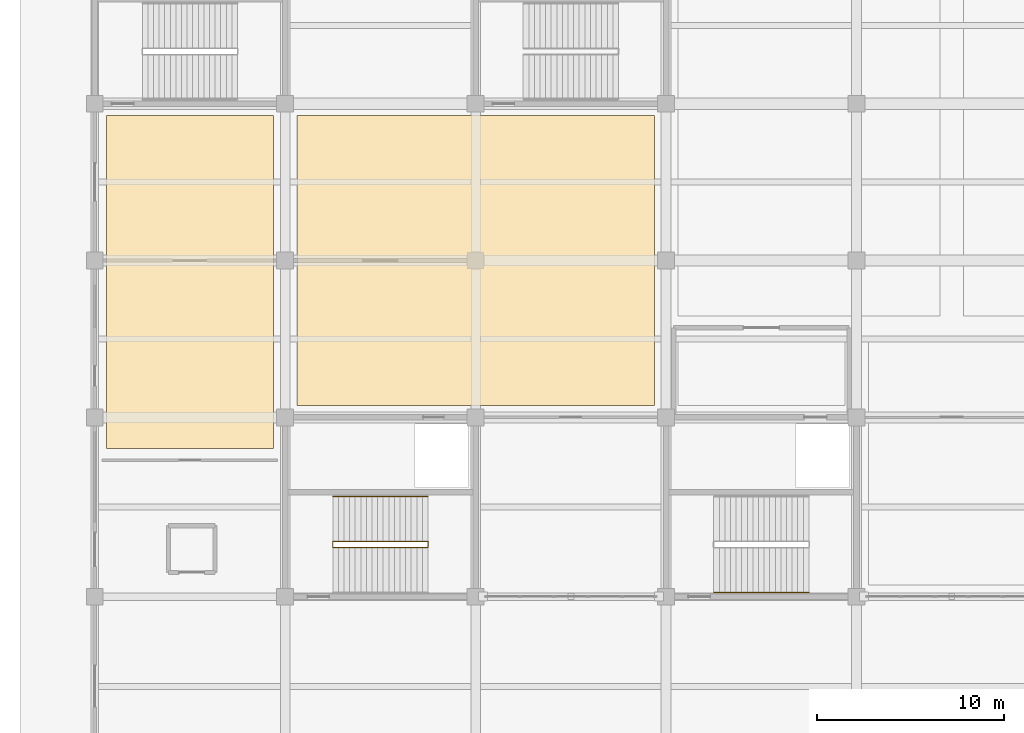
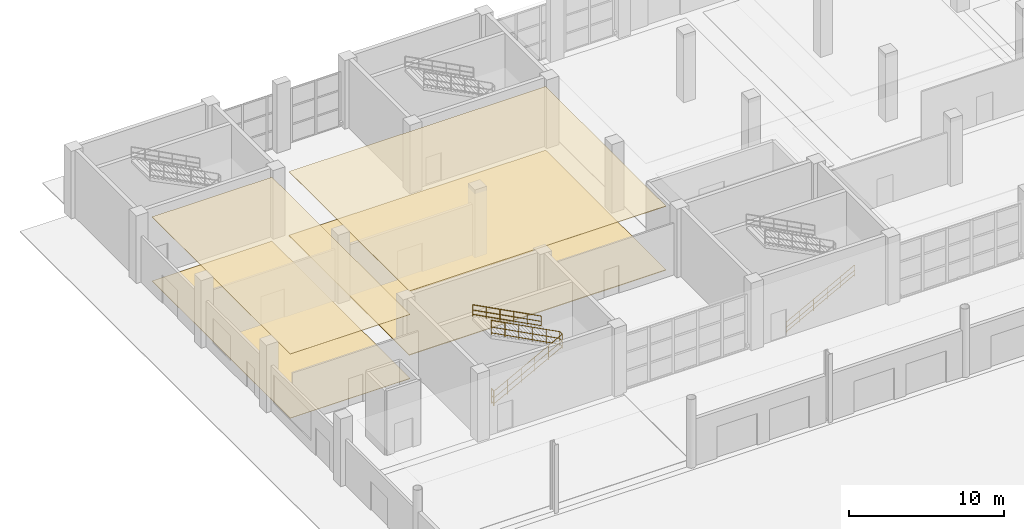
# One storey, part 112 of 124: 4 coverings, 4 railings.
"""IFC4 building model written with IfcOpenShell, lengths in metres."""

import ifcopenshell
import ifcopenshell.guid

model = None  # the IFC model being written
_history = None  # IfcOwnerHistory: only IFC2X3 demands one
_inside = {}  # id of a spatial element -> (the spatial element, [elements in it])
_under = {}  # id of a project, library or spatial element -> (it, [spatial elements below it])
_declared = {}  # id of a project -> (the project, [libraries it declares])
_typed = {}  # id of a type object -> (the type object, [elements of that type])
_made_of = {}  # id of a material, layer set ... -> (it, [elements and type objects made of it])


def new_model(schema):
    """Start an empty IFC model of exactly this schema.

    Asked for "IFC4X3", IfcOpenShell would pick the latest addendum, in which some entities
    have other attributes; the version numbers below select the first issue.
    IFC2X3 requires an IfcOwnerHistory on every rooted entity: one is made here for all.
    """
    global model, _history
    if schema == "IFC4X3":
        model = ifcopenshell.file(schema_version=(4, 3, 0, 0))
    else:
        model = ifcopenshell.file(schema=schema)
    _inside.clear()
    _under.clear()
    _declared.clear()
    _typed.clear()
    _made_of.clear()
    _history = None
    if model.schema == "IFC2X3":
        org = make("IfcOrganization", Name="unknown")
        user = make(
            "IfcPersonAndOrganization",
            ThePerson=make("IfcPerson", FamilyName="unknown"),
            TheOrganization=org,
        )
        app = make(
            "IfcApplication",
            ApplicationDeveloper=org,
            Version="unknown",
            ApplicationFullName="unknown",
            ApplicationIdentifier="unknown",
        )
        _history = make(
            "IfcOwnerHistory",
            OwningUser=user,
            OwningApplication=app,
            ChangeAction="ADDED",
            CreationDate=0,
        )
    return model


def make(cls, **values):
    """One entity of the class cls with the attributes given. An attribute that is None is left unset."""
    return model.create_entity(
        cls, **{name: value for name, value in values.items() if value is not None}
    )


def rooted(cls, **values):
    """An entity with a GlobalId (a new one), such as an element, a storey or a relation."""
    return make(cls, GlobalId=ifcopenshell.guid.new(), OwnerHistory=_history, **values)


def si_unit(unit_type, name, prefix=None):
    """IfcSIUnit, for example si_unit("LENGTHUNIT", "METRE", prefix="MILLI")."""
    return make("IfcSIUnit", UnitType=unit_type, Prefix=prefix, Name=name)


def assignment(units):
    """IfcUnitAssignment: the units of a project."""
    return None if units is None else make("IfcUnitAssignment", Units=units)


def point(xyz):
    """IfcCartesianPoint."""
    return None if xyz is None else make("IfcCartesianPoint", Coordinates=xyz)


def direction(xyz):
    """IfcDirection."""
    return None if xyz is None else make("IfcDirection", DirectionRatios=xyz)


def frame(location, z_axis=None, x_axis=None):
    """IfcAxis2Placement3D, a coordinate frame: its origin and axes. An axis left out is left unset."""
    return make(
        "IfcAxis2Placement3D",
        Location=point(location),
        Axis=direction(z_axis),
        RefDirection=direction(x_axis),
    )


def frame_2d(location, x_axis=None):
    """IfcAxis2Placement2D, a coordinate frame in the plane: its origin and x axis."""
    return make(
        "IfcAxis2Placement2D", Location=point(location), RefDirection=direction(x_axis)
    )


def origin():
    """The frame at (0, 0, 0) with its axes left unset."""
    return frame((0.0, 0.0, 0.0))


def origin_2d():
    """The frame at (0, 0) in the plane with its x axis left unset."""
    return frame_2d((0.0, 0.0))


def place(relative_to, where):
    """IfcLocalPlacement: puts the frame where relative to a parent placement (None: the world)."""
    return make(
        "IfcLocalPlacement", PlacementRelTo=relative_to, RelativePlacement=where
    )


def context(
    kind, dimensions, precision=None, world=None, true_north=None, identifier=None
):
    """IfcGeometricRepresentationContext, for example the 3D "Model" context."""
    return make(
        "IfcGeometricRepresentationContext",
        ContextIdentifier=identifier,
        ContextType=kind,
        CoordinateSpaceDimension=dimensions,
        Precision=precision,
        WorldCoordinateSystem=world,
        TrueNorth=true_north,
    )


def subcontext(parent, identifier, kind, view, scale=None):
    """IfcGeometricRepresentationSubContext, for example "Body" below "Model"."""
    return make(
        "IfcGeometricRepresentationSubContext",
        ContextIdentifier=identifier,
        ContextType=kind,
        ParentContext=parent,
        TargetScale=scale,
        TargetView=view,
    )


def project(units=None, contexts=None):
    """IfcProject with its units and contexts."""
    return rooted(
        "IfcProject",
        Name="project",
        RepresentationContexts=contexts,
        UnitsInContext=assignment(units),
    )


def spatial(cls, under=None, at=None, **own):
    """A site, building, storey or space (cls), placed at a placement, below another one or the project."""
    s = rooted(cls, ObjectPlacement=at, **own)
    if under is not None:
        _under.setdefault(under.id(), (under, []))[1].append(s)
    return s


def polyline(points):
    """IfcPolyline through the points."""
    return make("IfcPolyline", Points=[point(p) for p in points])


def profile(cls, at=None, kind="AREA", **sizes):
    """A parametric profile (cls). Its sizes go by their IFC names, for example OverallWidth=200.0."""
    return make(cls, ProfileType=kind, Position=at, **sizes)


def circle(**sizes):
    """IfcCircleProfileDef."""
    return profile("IfcCircleProfileDef", **sizes)


def outline(outer, holes=None, kind="AREA"):
    """IfcArbitraryClosedProfileDef: a profile drawn as a closed curve; with holes, ...WithVoids."""
    if holes is None:
        return make("IfcArbitraryClosedProfileDef", ProfileType=kind, OuterCurve=outer)
    return make(
        "IfcArbitraryProfileDefWithVoids",
        ProfileType=kind,
        OuterCurve=outer,
        InnerCurves=holes,
    )


def extrude(swept, where, along, depth):
    """IfcExtrudedAreaSolid: the profile swept, set in the frame where, extruded along a direction by depth."""
    return make(
        "IfcExtrudedAreaSolid",
        SweptArea=swept,
        Position=where,
        ExtrudedDirection=direction(along),
        Depth=depth,
    )


def shape(context_of_items, identifier, shape_type, items):
    """IfcShapeRepresentation: the items that make up one representation, for example the "Body"."""
    return make(
        "IfcShapeRepresentation",
        ContextOfItems=context_of_items,
        RepresentationIdentifier=identifier,
        RepresentationType=shape_type,
        Items=items,
    )


def material(Name=None, Category=None):
    """IfcMaterial."""
    return make("IfcMaterial", Name=Name, Category=Category)


def layer(
    of_material, thickness, ventilated=None, Name=None, Category=None, Priority=None
):
    """IfcMaterialLayer: one layer of a wall or slab, of a material (None: an air gap)."""
    return make(
        "IfcMaterialLayer",
        Material=of_material,
        LayerThickness=thickness,
        IsVentilated=ventilated,
        Name=Name,
        Category=Category,
        Priority=Priority,
    )


def layer_set(layers, Name=None):
    """IfcMaterialLayerSet."""
    return make("IfcMaterialLayerSet", MaterialLayers=layers, LayerSetName=Name)


def made_of(thing, what):
    """Note that an element or type object is made of a material, layer set ...; save() writes the relation."""
    if what is not None:
        _made_of.setdefault(what.id(), (what, []))[1].append(thing)
    return thing


def type_object(cls, material=None, **own):
    """A type object (cls), such as IfcWallType, which elements share."""
    return made_of(rooted(cls, **own), material)


def element(
    cls,
    number,
    at=None,
    inside=None,
    cuts=None,
    type_object=None,
    material=None,
    context=None,
    identifier="Body",
    shape_type=None,
    held_by="IfcProductDefinitionShape",
    body=None,
    shapes=None,
    **own,
):
    """One element of the class cls, such as IfcWall. Its Tag is "e" and its number.

    at: its placement. inside: the storey or other place that contains it. cuts: it is an
    opening in that element (IfcRelVoidsElement). A single representation is given by context,
    identifier, shape_type and body (its items); several are given by shapes. held_by: the class
    of the entity that holds the representations. save() writes the other relations.
    """
    e = rooted(cls, Tag="e%d" % number, ObjectPlacement=at, **own)
    if body is not None:
        shapes = [shape(context, identifier, shape_type, body)]
    if shapes is not None:
        e.Representation = make(held_by, Representations=shapes)
    if inside is not None:
        _inside.setdefault(inside.id(), (inside, []))[1].append(e)
    if cuts is not None:
        rooted(
            "IfcRelVoidsElement", RelatingBuildingElement=cuts, RelatedOpeningElement=e
        )
    if type_object is not None:
        _typed.setdefault(type_object.id(), (type_object, []))[1].append(e)
    return made_of(e, material)


def aggregate(whole, parts):
    """IfcRelAggregates: a whole, such as a stair, and the parts it consists of."""
    return rooted("IfcRelAggregates", RelatingObject=whole, RelatedObjects=parts)


def save(model, path):
    """Write the relations noted so far, then the file.

    IfcRelAggregates (storeys below a building ...), IfcRelContainedInSpatialStructure (elements
    in a storey), IfcRelDefinesByType, IfcRelAssociatesMaterial and IfcRelDeclares: one each for
    every whole, place, type object, material and project.
    """
    for whole, parts in _under.values():
        aggregate(whole, parts)
    for where, things in _inside.values():
        rooted(
            "IfcRelContainedInSpatialStructure",
            RelatedElements=things,
            RelatingStructure=where,
        )
    for kind, things in _typed.values():
        rooted("IfcRelDefinesByType", RelatedObjects=things, RelatingType=kind)
    for what, things in _made_of.values():
        rooted("IfcRelAssociatesMaterial", RelatedObjects=things, RelatingMaterial=what)
    for by, libraries in _declared.values():
        rooted("IfcRelDeclares", RelatingContext=by, RelatedDefinitions=libraries)
    model.write(path)


model = new_model("IFC4")

# Units and contexts
model_context = context("Model", 3, precision=1e-05, world=origin(), true_north=direction((0.0, 1.0)))
body_context = subcontext(model_context, "Body", "Model", "MODEL_VIEW")
ifc_project = project(units=[si_unit("LENGTHUNIT", "METRE"), si_unit("AREAUNIT", "SQUARE_METRE"), si_unit("VOLUMEUNIT", "CUBIC_METRE"), si_unit("PLANEANGLEUNIT", "RADIAN"), si_unit("MASSUNIT", "GRAM", prefix="KILO")], contexts=[model_context])

# Site, building, storey
site_placement = place(None, origin())
site = spatial("IfcSite", under=ifc_project, at=site_placement, CompositionType="ELEMENT")
building_placement = place(site_placement, origin())
building = spatial("IfcBuilding", under=site, at=building_placement, Name="Brelvane Convention Centre", CompositionType="ELEMENT")
storey_placement = place(building_placement, origin())
storey = spatial("IfcBuildingStorey", under=building, at=storey_placement, Name="L00", CompositionType="ELEMENT", Elevation=0.0)

# Coverings
ifc_material_1 = material(Name="Moisture-Resistant Acoustic Gypsum Ceiling Tile Grade A")
ifc_layer_1 = layer(ifc_material_1, 0.033935546875)
ifc_layer_set_1 = layer_set([ifc_layer_1], Name="Moisture-Resistant Acoustic Gypsum Ceiling Tile Grade A")
covering_type_1 = type_object("IfcCoveringType", Name="Interior Finish CL-GYP-34", PredefinedType="CEILING", material=ifc_layer_set_1)
covering_1_placement = place(storey_placement, frame((0.0, 0.0, 5.0458984375)))
element("IfcCovering", 1, at=covering_1_placement, inside=storey, type_object=covering_type_1, Name="Meeting Room 101 Acoustic Ceiling (CL-GYP-34)", PredefinedType="CEILING", context=body_context, shape_type="SweptSolid", body=[
    extrude(outline(polyline([(0.6298828125, 117.1298828125), (9.570068359375, 117.1298828125), (9.570068359375, 134.969970703125), (0.6298828125, 134.969970703125), (0.6298828125, 117.1298828125)])), origin(), (0.0, 0.0, 1.0), 0.0341796875),
])
ifc_material_2 = material(Name="Moisture-Resistant Acoustic Gypsum Ceiling Tile Grade A")
ifc_layer_2 = layer(ifc_material_2, 0.0419921875)
ifc_layer_set_2 = layer_set([ifc_layer_2], Name="Moisture-Resistant Acoustic Gypsum Ceiling Tile Grade A")
covering_type_2 = type_object("IfcCoveringType", Name="Interior Finish CL-GYP-42", PredefinedType="CEILING", material=ifc_layer_set_2)
covering_2_placement = place(storey_placement, frame((0.0, 0.0, 5.0380859375)))
element("IfcCovering", 2, at=covering_2_placement, inside=storey, type_object=covering_type_2, Name="Meeting Room 102 Acoustic Ceiling (CL-GYP-42)", PredefinedType="CEILING", context=body_context, shape_type="SweptSolid", body=[
    extrude(outline(polyline([(10.830078125, 119.429931640625), (29.969970703125, 119.429931640625), (29.969970703125, 134.969970703125), (10.830078125, 134.969970703125), (10.830078125, 119.429931640625)])), origin(), (0.0, 0.0, 1.0), 0.0419921875),
])
ifc_material_3 = material(Name="Polished Basalt-Aggregate Terrazzo Screed Concrete M30", Category="masonry")
ifc_layer_3 = layer(ifc_material_3, 0.031982421875)
ifc_layer_set_3 = layer_set([ifc_layer_3], Name="Polished Basalt-Aggregate Terrazzo Screed Concrete M30")
covering_type_3 = type_object("IfcCoveringType", Name="Interior Finish FL-STN-32", PredefinedType="FLOORING", material=ifc_layer_set_3)
covering_3_placement = place(storey_placement, origin())
element("IfcCovering", 3, at=covering_3_placement, inside=storey, type_object=covering_type_3, Name="Meeting Room 101 Floor Finish (FL-STN-32)", PredefinedType="FLOORING", context=body_context, shape_type="SweptSolid", body=[
    extrude(outline(polyline([(0.6298828125, 117.1298828125), (9.570068359375, 117.1298828125), (9.570068359375, 134.969970703125), (0.6298828125, 134.969970703125), (0.6298828125, 117.1298828125)])), origin(), (0.0, 0.0, 1.0), 0.031982421875),
])
ifc_material_4 = material(Name="Polished Basalt-Aggregate Terrazzo Screed Concrete M30", Category="masonry")
ifc_layer_4 = layer(ifc_material_4, 0.054931640625)
ifc_layer_set_4 = layer_set([ifc_layer_4], Name="Polished Basalt-Aggregate Terrazzo Screed Concrete M30")
covering_type_4 = type_object("IfcCoveringType", Name="Interior Finish FL-STN-55", PredefinedType="FLOORING", material=ifc_layer_set_4)
covering_4_placement = place(storey_placement, origin())
element("IfcCovering", 4, at=covering_4_placement, inside=storey, type_object=covering_type_4, Name="Meeting Room 102 Floor Finish (FL-STN-55)", PredefinedType="FLOORING", context=body_context, shape_type="SweptSolid", body=[
    extrude(outline(polyline([(10.830078125, 119.429931640625), (29.969970703125, 119.429931640625), (29.969970703125, 134.969970703125), (10.830078125, 134.969970703125), (10.830078125, 119.429931640625)])), origin(), (0.0, 0.0, 1.0), 0.054931640625),
])

# Railings
ifc_material_5 = material(Name="Steel E350 (350 MPa)", Category="steel")
railing_type_1 = type_object("IfcRailingType", Name="Stair Railing GR-ST-1", PredefinedType="GUARDRAIL", material=ifc_material_5)
railing_1_placement = place(storey_placement, frame((12.75, 111.840087890625, -0.02001953125)))
element("IfcRailing", 5, at=railing_1_placement, inside=storey, type_object=railing_type_1, Name="Stair ST-06 L00 Inner Well Guard", PredefinedType="GUARDRAIL", context=body_context, shape_type="SweptSolid", body=[
    extrude(circle(Radius=0.02392578125, at=origin_2d()), frame((0.0, 0.0, 1.1259765625), z_axis=(0.882358787245, 0.0, 0.470577273753), x_axis=(0.0, 1.0, 0.0)), (0.0, 0.0, 1.0), 5.780029296875),
    extrude(circle(Radius=0.02392578125, at=origin_2d()), frame((0.0, 0.0, 0.597900390625), z_axis=(0.882358787245, 0.0, 0.470577273753), x_axis=(0.0, 1.0, 0.0)), (0.0, 0.0, 1.0), 5.780029296875),
    extrude(circle(Radius=0.02392578125, at=origin_2d()), frame((0.0, 0.0, 0.139892578125), z_axis=(0.882358787245, 0.0, 0.470577273753), x_axis=(0.0, 1.0, 0.0)), (0.0, 0.0, 1.0), 5.780029296875),
    extrude(circle(Radius=0.02392578125, at=origin_2d()), frame((5.10009765625, 0.0, 3.845947265625), z_axis=(0.0, 1.0, 0.0), x_axis=(-1.0, 0.0, 0.0)), (0.0, 0.0, 1.0), 0.31982421875),
    extrude(circle(Radius=0.02392578125, at=origin_2d()), frame((5.10009765625, 0.0, 3.31787109375), z_axis=(0.0, 1.0, 0.0), x_axis=(-1.0, 0.0, 0.0)), (0.0, 0.0, 1.0), 0.31982421875),
    extrude(circle(Radius=0.02392578125, at=origin_2d()), frame((5.10009765625, 0.0, 2.85986328125), z_axis=(0.0, 1.0, 0.0), x_axis=(-1.0, 0.0, 0.0)), (0.0, 0.0, 1.0), 0.31982421875),
    extrude(circle(Radius=0.02392578125, at=origin_2d()), frame((5.10009765625, 0.31982421875, 3.845947265625), z_axis=(-0.885227801088, 0.0, 0.465157758379), x_axis=(0.0, -1.0, 0.0)), (0.0, 0.0, 1.0), 5.76123046875),
    extrude(circle(Radius=0.02392578125, at=origin_2d()), frame((5.10009765625, 0.31982421875, 3.31787109375), z_axis=(-0.885227801088, 0.0, 0.465157758379), x_axis=(0.0, -1.0, 0.0)), (0.0, 0.0, 1.0), 5.76123046875),
    extrude(circle(Radius=0.02392578125, at=origin_2d()), frame((5.10009765625, 0.31982421875, 2.85986328125), z_axis=(-0.885227801088, 0.0, 0.465157758379), x_axis=(0.0, -1.0, 0.0)), (0.0, 0.0, 1.0), 5.76123046875),
    extrude(circle(Radius=0.02099609375, at=origin_2d()), origin(), (0.0, 0.0, 1.0), 1.101806640625),
    extrude(circle(Radius=0.02099609375, at=origin_2d()), frame((1.02001953125, 0.0, 0.5439453125)), (0.0, 0.0, 1.0), 1.101806640625),
    extrude(circle(Radius=0.02099609375, at=origin_2d()), frame((2.0400390625, 0.0, 1.087890625)), (0.0, 0.0, 1.0), 1.101806640625),
    extrude(circle(Radius=0.02099609375, at=origin_2d()), frame((3.06005859375, 0.0, 1.632080078125)), (0.0, 0.0, 1.0), 1.101806640625),
    extrude(circle(Radius=0.02099609375, at=origin_2d()), frame((4.080078125, 0.0, 2.176025390625)), (0.0, 0.0, 1.0), 1.101806640625),
    extrude(circle(Radius=0.02099609375, at=origin_2d()), frame((5.10009765625, 0.0, 2.719970703125)), (0.0, 0.0, 1.0), 1.101806640625),
    extrude(circle(Radius=0.02099609375, at=origin_2d()), frame((5.10009765625, 0.31982421875, 2.719970703125)), (0.0, 0.0, 1.0), 1.101806640625),
    extrude(circle(Radius=0.02099609375, at=origin_2d()), frame((4.080078125, 0.31982421875, 3.255859375)), (0.0, 0.0, 1.0), 1.101806640625),
    extrude(circle(Radius=0.02099609375, at=origin_2d()), frame((3.06005859375, 0.31982421875, 3.7919921875)), (0.0, 0.0, 1.0), 1.101806640625),
    extrude(circle(Radius=0.02099609375, at=origin_2d()), frame((2.0400390625, 0.31982421875, 4.327880859375)), (0.0, 0.0, 1.0), 1.101806640625),
    extrude(circle(Radius=0.02099609375, at=origin_2d()), frame((1.02001953125, 0.31982421875, 4.864013671875)), (0.0, 0.0, 1.0), 1.101806640625),
    extrude(circle(Radius=0.02099609375, at=origin_2d()), frame((0.0, 0.31982421875, 5.39990234375)), (0.0, 0.0, 1.0), 1.101806640625),
])
ifc_material_6 = material(Name="Steel E350 (350 MPa)", Category="steel")
railing_type_2 = type_object("IfcRailingType", Name="Stair Railing GR-ST-2", PredefinedType="GUARDRAIL", material=ifc_material_6)
railing_2_placement = place(storey_placement, frame((12.75, 111.840087890625, -0.02001953125)))
element("IfcRailing", 6, at=railing_2_placement, inside=storey, type_object=railing_type_2, Name="Stair ST-06 L00 Landing Well Guard", PredefinedType="GUARDRAIL", context=body_context, shape_type="SweptSolid", body=[
    extrude(circle(Radius=0.02392578125, at=origin_2d()), frame((0.0, 0.0, 1.15576171875), z_axis=(0.0, 1.0, 0.0), x_axis=(-1.0, 0.0, 0.0)), (0.0, 0.0, 1.0), 0.31982421875),
    extrude(circle(Radius=0.02392578125, at=origin_2d()), frame((0.0, 0.0, 0.613525390625), z_axis=(0.0, 1.0, 0.0), x_axis=(-1.0, 0.0, 0.0)), (0.0, 0.0, 1.0), 0.31982421875),
    extrude(circle(Radius=0.02392578125, at=origin_2d()), frame((0.0, 0.0, 0.139892578125), z_axis=(0.0, 1.0, 0.0), x_axis=(-1.0, 0.0, 0.0)), (0.0, 0.0, 1.0), 0.31982421875),
    extrude(circle(Radius=0.02099609375, at=origin_2d()), origin(), (0.0, 0.0, 1.0), 1.1318359375),
    extrude(circle(Radius=0.02099609375, at=origin_2d()), frame((0.0, 0.31982421875, 0.0)), (0.0, 0.0, 1.0), 1.1318359375),
])
ifc_material_7 = material(Name="Steel E350 (350 MPa)", Category="steel")
railing_type_3 = type_object("IfcRailingType", Name="Stair Railing HR-ST-1", PredefinedType="HANDRAIL", material=ifc_material_7)
railing_3_placement = place(storey_placement, frame((17.85009765625, 114.570068359375, 2.699951171875)))
element("IfcRailing", 7, at=railing_3_placement, inside=storey, type_object=railing_type_3, Name="Stair ST-06 L00 Outer Handrail F2", PredefinedType="HANDRAIL", context=body_context, shape_type="SweptSolid", body=[
    extrude(circle(Radius=0.02392578125, at=origin_2d()), frame((0.0, 0.0, 0.89599609375), z_axis=(-0.885227801088, 0.0, 0.465157758379), x_axis=(0.0, -1.0, 0.0)), (0.0, 0.0, 1.0), 5.76123046875),
    extrude(circle(Radius=0.02392578125, at=origin_2d()), frame((0.0, 0.0, 0.478271484375), z_axis=(-0.885227801088, 0.0, 0.465157758379), x_axis=(0.0, -1.0, 0.0)), (0.0, 0.0, 1.0), 5.76123046875),
    extrude(circle(Radius=0.02392578125, at=origin_2d()), frame((0.0, 0.0, 0.139892578125), z_axis=(-0.885227801088, 0.0, 0.465157758379), x_axis=(0.0, -1.0, 0.0)), (0.0, 0.0, 1.0), 5.76123046875),
    extrude(circle(Radius=0.02099609375, at=origin_2d()), origin(), (0.0, 0.0, 1.0), 0.871826171875),
    extrude(circle(Radius=0.02099609375, at=origin_2d()), frame((-1.02001953125, 0.0, 0.535888671875)), (0.0, 0.0, 1.0), 0.871826171875),
    extrude(circle(Radius=0.02099609375, at=origin_2d()), frame((-2.0400390625, 0.0, 1.072021484375)), (0.0, 0.0, 1.0), 0.871826171875),
    extrude(circle(Radius=0.02099609375, at=origin_2d()), frame((-3.06005859375, 0.0, 1.60791015625)), (0.0, 0.0, 1.0), 0.871826171875),
    extrude(circle(Radius=0.02099609375, at=origin_2d()), frame((-4.080078125, 0.0, 2.14404296875)), (0.0, 0.0, 1.0), 0.871826171875),
    extrude(circle(Radius=0.02099609375, at=origin_2d()), frame((-5.10009765625, 0.0, 2.679931640625)), (0.0, 0.0, 1.0), 0.871826171875),
])
railing_4_placement = place(storey_placement, frame((33.14990234375, 109.429931640625, -0.02001953125)))
element("IfcRailing", 8, at=railing_4_placement, inside=storey, type_object=railing_type_3, Name="Stair ST-07 L00 Outer Handrail F1", PredefinedType="HANDRAIL", context=body_context, shape_type="SweptSolid", body=[
    extrude(circle(Radius=0.02392578125, at=origin_2d()), frame((0.0, 0.0, 0.89599609375), z_axis=(0.882358787245, 0.0, 0.470577273753), x_axis=(0.0, 1.0, 0.0)), (0.0, 0.0, 1.0), 5.780029296875),
    extrude(circle(Radius=0.02392578125, at=origin_2d()), frame((0.0, 0.0, 0.478271484375), z_axis=(0.882358787245, 0.0, 0.470577273753), x_axis=(0.0, 1.0, 0.0)), (0.0, 0.0, 1.0), 5.780029296875),
    extrude(circle(Radius=0.02392578125, at=origin_2d()), frame((0.0, 0.0, 0.139892578125), z_axis=(0.882358787245, 0.0, 0.470577273753), x_axis=(0.0, 1.0, 0.0)), (0.0, 0.0, 1.0), 5.780029296875),
    extrude(circle(Radius=0.02099609375, at=origin_2d()), origin(), (0.0, 0.0, 1.0), 0.871826171875),
    extrude(circle(Radius=0.02099609375, at=origin_2d()), frame((1.02001953125, 0.0, 0.5439453125)), (0.0, 0.0, 1.0), 0.871826171875),
    extrude(circle(Radius=0.02099609375, at=origin_2d()), frame((2.0400390625, 0.0, 1.087890625)), (0.0, 0.0, 1.0), 0.871826171875),
    extrude(circle(Radius=0.02099609375, at=origin_2d()), frame((3.06005859375, 0.0, 1.632080078125)), (0.0, 0.0, 1.0), 0.871826171875),
    extrude(circle(Radius=0.02099609375, at=origin_2d()), frame((4.080078125, 0.0, 2.176025390625)), (0.0, 0.0, 1.0), 0.871826171875),
    extrude(circle(Radius=0.02099609375, at=origin_2d()), frame((5.10009765625, 0.0, 2.719970703125)), (0.0, 0.0, 1.0), 0.871826171875),
])

save(model, "model.ifc")
